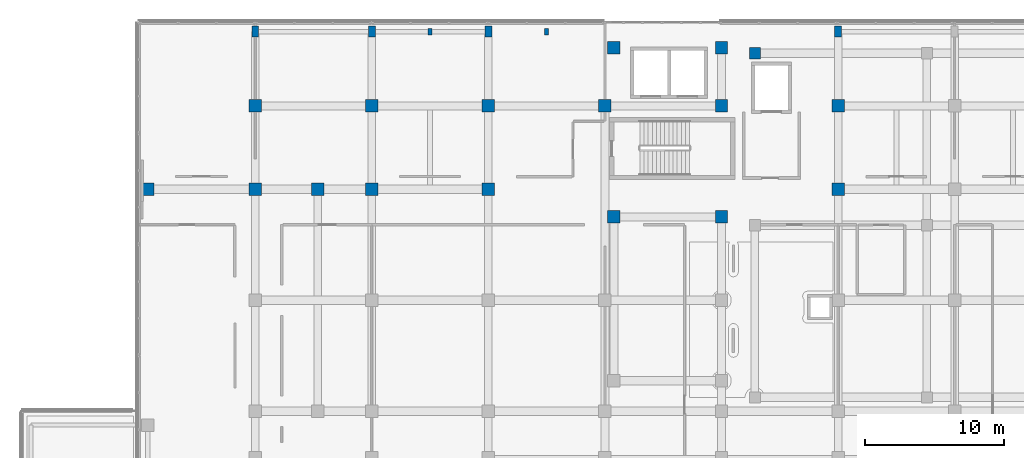
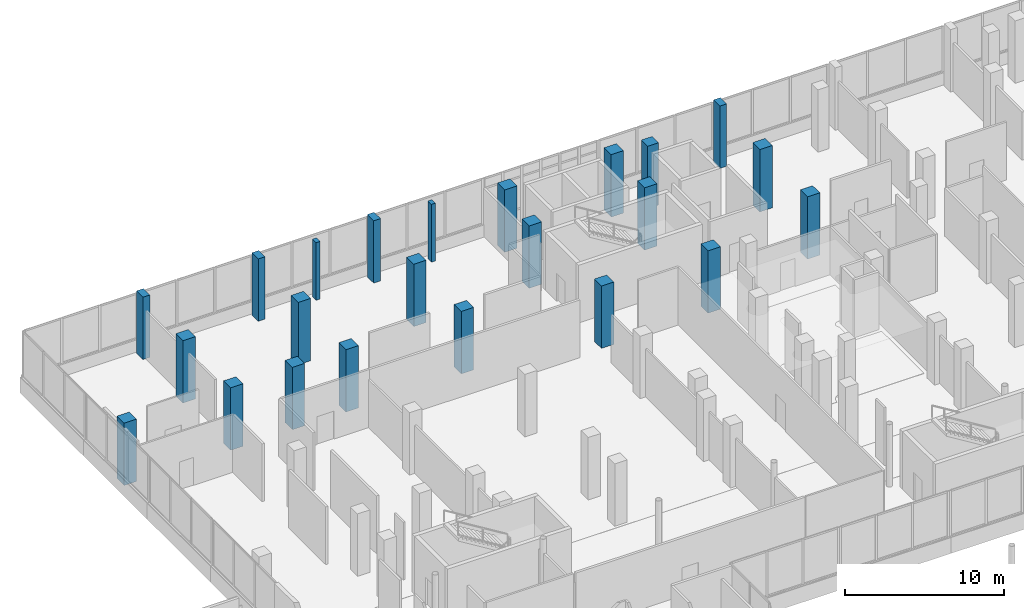
# One storey, part 9 of 168: 23 columns.
"""IFC4 building model written with IfcOpenShell, lengths in metres."""

from ifc_helpers import new_model, si_unit, direction, frame, origin, origin_2d, place, context, subcontext, project, spatial, rectangle, extrude, material, material_profile, profile_set, type_object, element, save


model = new_model("IFC4")

# Units and contexts
model_context = context("Model", 3, precision=1e-05, world=origin(), true_north=direction((0.0, 1.0)))
body_context = subcontext(model_context, "Body", "Model", "MODEL_VIEW")
ifc_project = project(units=[si_unit("LENGTHUNIT", "METRE"), si_unit("AREAUNIT", "SQUARE_METRE"), si_unit("VOLUMEUNIT", "CUBIC_METRE"), si_unit("PLANEANGLEUNIT", "RADIAN"), si_unit("MASSUNIT", "GRAM", prefix="KILO")], contexts=[model_context])

# Site, building, storey
site_placement = place(None, origin())
site = spatial("IfcSite", under=ifc_project, at=site_placement, CompositionType="ELEMENT")
building_placement = place(site_placement, origin())
building = spatial("IfcBuilding", under=site, at=building_placement, Name="Selatvlak General Hospital", CompositionType="ELEMENT")
storey_placement = place(building_placement, frame((0.0, 0.0, 5.39990234375)))
storey = spatial("IfcBuildingStorey", under=building, at=storey_placement, Name="L01", CompositionType="ELEMENT", Elevation=5.39990234375)

# Columns
ifc_material_1 = material(Name="Concrete C40/50", Category="concrete")
ifc_material_profile_1 = material_profile(ifc_material_1, rectangle(XDim=0.300048828125, YDim=0.449951171875, at=origin_2d()), Name="RC-PIL 450x300")
ifc_profile_set_1 = profile_set([ifc_material_profile_1], Name="Concrete C40/50")
column_type_1 = type_object("IfcColumnType", Name="COL-PIL45", PredefinedType="PILASTER", material=ifc_profile_set_1)
for number, where, z_axis, x_axis, name in (
    (1, (35.39990234375, 119.35009765625, 0.0), (0.0, 0.0, 1.0), (1.0, 0.0, 0.0), "Inboard core pilaster 1 on L01"),
    (2, (43.800048828125, 119.35009765625, 0.0), (0.0, 0.0, 1.0), (1.0, 0.0, 0.0), "Inboard core pilaster 2 on L01"),
):
    element("IfcColumn", number, at=place(storey_placement, frame(where, z_axis=z_axis, x_axis=x_axis)), inside=storey, type_object=column_type_1, Name=name, PredefinedType="PILASTER", context=body_context, shape_type="SweptSolid", body=[
        extrude(rectangle(XDim=0.300048828125, YDim=0.449951171875, at=origin_2d()), origin(), (0.0, 0.0, 1.0), 4.445068359375),
    ])
ifc_material_2 = material(Name="Concrete C50/60", Category="concrete")
ifc_material_profile_2 = material_profile(ifc_material_2, rectangle(XDim=0.800048828125, YDim=0.800048828125, at=origin_2d()), Name="RC-COL 800x800")
ifc_profile_set_2 = profile_set([ifc_material_profile_2], Name="Concrete C50/60")
column_type_2 = type_object("IfcColumnType", Name="COL-RC80", PredefinedType="COLUMN", material=ifc_profile_set_2)
column_placement = place(storey_placement, frame((58.800048828125, 117.800048828125, 0.0), z_axis=(0.0, 0.0, 1.0), x_axis=(1.0, 0.0, 0.0)))
element("IfcColumn", 3, at=column_placement, inside=storey, type_object=column_type_2, Name="Column 039 on L01", PredefinedType="COLUMN", context=body_context, shape_type="SweptSolid", body=[
    extrude(rectangle(XDim=0.800048828125, YDim=0.800048828125, at=origin_2d()), origin(), (0.0, 0.0, 1.0), 4.800048828125),
])
ifc_material_profile_3 = material_profile(ifc_material_2, rectangle(XDim=0.5, YDim=0.800048828125, at=origin_2d()), Name="RC-COL 800x500")
ifc_profile_set_3 = profile_set([ifc_material_profile_3], Name="Concrete C50/60")
column_type_3 = type_object("IfcColumnType", Name="COL-RC85", PredefinedType="COLUMN", material=ifc_profile_set_3)
for number, where, z_axis, x_axis, name in (
    (4, (22.800048828125, 119.35009765625, 0.0), (0.0, 0.0, 1.0), (1.0, 0.0, 0.0), "Column 163 on L01"),
    (5, (31.199951171875, 119.35009765625, 0.0), (0.0, 0.0, 1.0), (1.0, 0.0, 0.0), "Column 169 on L01"),
    (6, (39.60009765625, 119.35009765625, 0.0), (0.0, 0.0, 1.0), (1.0, 0.0, 0.0), "Column 175 on L01"),
    (7, (64.800048828125, 119.35009765625, 0.0), (0.0, 0.0, 1.0), (1.0, 0.0, 0.0), "Column 191 on L01"),
):
    element("IfcColumn", number, at=place(storey_placement, frame(where, z_axis=z_axis, x_axis=x_axis)), inside=storey, type_object=column_type_3, Name=name, PredefinedType="COLUMN", context=body_context, shape_type="SweptSolid", body=[
        extrude(rectangle(XDim=0.5, YDim=0.800048828125, at=origin_2d()), origin(), (0.0, 0.0, 1.0), 4.800048828125),
    ])
ifc_material_profile_4 = material_profile(ifc_material_2, rectangle(XDim=0.89990234375, YDim=0.89990234375, at=origin_2d()), Name="RC-COL 900x900")
ifc_profile_set_4 = profile_set([ifc_material_profile_4], Name="Concrete C50/60")
column_type_4 = type_object("IfcColumnType", Name="COL-RC90", PredefinedType="COLUMN", material=ifc_profile_set_4)
for number, where, z_axis, x_axis, name in (
    (8, (48.64990234375, 106.0, 0.0), (0.0, 0.0, 1.0), (1.0, 0.0, 0.0), "Column 048 on L01"),
    (9, (56.39990234375, 106.0, 0.0), (0.0, 0.0, 1.0), (1.0, 0.0, 0.0), "Column 049 on L01"),
    (10, (48.64990234375, 118.199951171875, 0.0), (0.0, 0.0, 1.0), (1.0, 0.0, 0.0), "Column 050 on L01"),
    (11, (56.39990234375, 118.199951171875, 0.0), (0.0, 0.0, 1.0), (1.0, 0.0, 0.0), "Column 051 on L01"),
    (12, (27.300048828125, 108.0, 0.0), (0.0, 0.0, 1.0), (1.0, 0.0, 0.0), "Column 112 on L01"),
    (13, (15.050048828125, 108.0, 0.0), (0.0, 0.0, 1.0), (1.0, 0.0, 0.0), "Column 156 on L01"),
    (14, (22.800048828125, 108.0, 0.0), (0.0, 0.0, 1.0), (1.0, 0.0, 0.0), "Column 161 on L01"),
    (15, (22.800048828125, 114.0, 0.0), (0.0, 0.0, 1.0), (1.0, 0.0, 0.0), "Column 162 on L01"),
    (16, (31.199951171875, 108.0, 0.0), (0.0, 0.0, 1.0), (1.0, 0.0, 0.0), "Column 167 on L01"),
    (17, (31.199951171875, 114.0, 0.0), (0.0, 0.0, 1.0), (1.0, 0.0, 0.0), "Column 168 on L01"),
    (18, (39.60009765625, 108.0, 0.0), (0.0, 0.0, 1.0), (1.0, 0.0, 0.0), "Column 173 on L01"),
    (19, (39.60009765625, 114.0, 0.0), (0.0, 0.0, 1.0), (1.0, 0.0, 0.0), "Column 174 on L01"),
    (20, (48.0, 114.0, 0.0), (0.0, 0.0, 1.0), (1.0, 0.0, 0.0), "Column 180 on L01"),
    (21, (56.39990234375, 114.0, 0.0), (0.0, 0.0, 1.0), (1.0, 0.0, 0.0), "Column 184 on L01"),
    (22, (64.800048828125, 108.0, 0.0), (0.0, 0.0, 1.0), (1.0, 0.0, 0.0), "Column 189 on L01"),
    (23, (64.800048828125, 114.0, 0.0), (0.0, 0.0, 1.0), (1.0, 0.0, 0.0), "Column 190 on L01"),
):
    element("IfcColumn", number, at=place(storey_placement, frame(where, z_axis=z_axis, x_axis=x_axis)), inside=storey, type_object=column_type_4, Name=name, PredefinedType="COLUMN", context=body_context, shape_type="SweptSolid", body=[
        extrude(rectangle(XDim=0.89990234375, YDim=0.89990234375, at=origin_2d()), origin(), (0.0, 0.0, 1.0), 4.800048828125),
    ])

save(model, "model.ifc")
